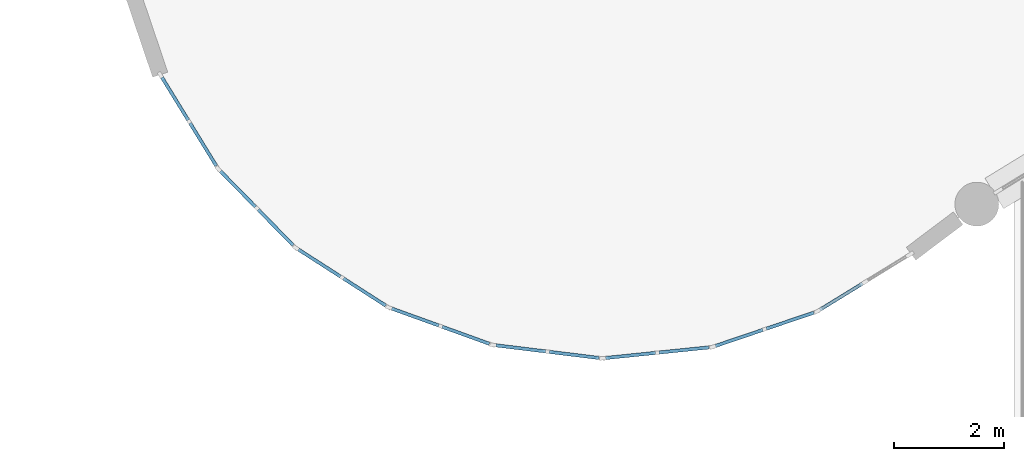
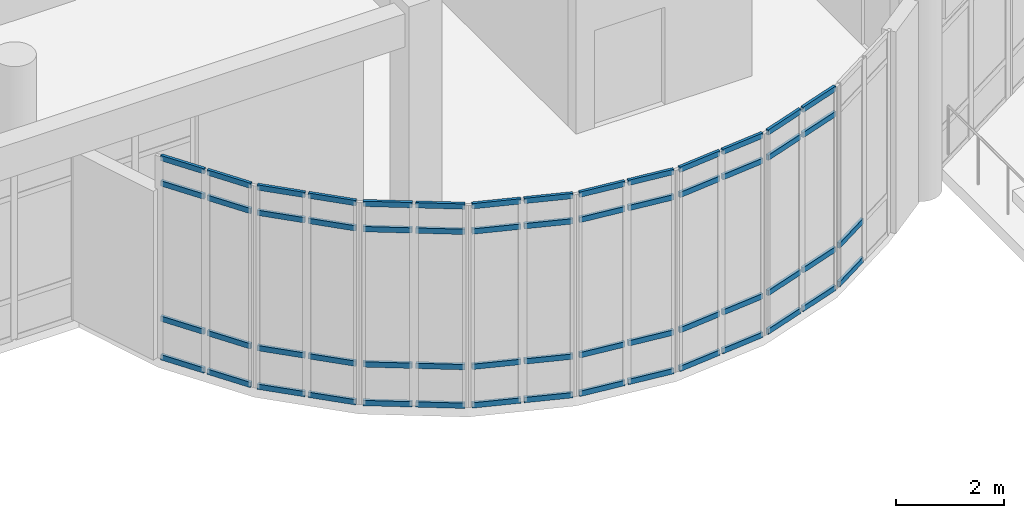
# One storey, part 33 of 65: 58 members, 8 elements without a shape of their own.
"""IFC4 building model written with IfcOpenShell, lengths in metres."""

from ifc_helpers import new_model, si_unit, direction, frame, origin, origin_2d, place, context, subcontext, project, spatial, rectangle, extrude, material, layer, layer_set, material_profile, profile_set, type_object, element, aggregate, save


model = new_model("IFC4")

# Units and contexts
model_context = context("Model", 3, precision=1e-05, world=origin(), true_north=direction((0.0, 1.0)))
body_context = subcontext(model_context, "Body", "Model", "MODEL_VIEW")
ifc_project = project(units=[si_unit("LENGTHUNIT", "METRE"), si_unit("AREAUNIT", "SQUARE_METRE"), si_unit("VOLUMEUNIT", "CUBIC_METRE"), si_unit("PLANEANGLEUNIT", "RADIAN"), si_unit("MASSUNIT", "GRAM", prefix="KILO")], contexts=[model_context])

# Site, building, storey
site_placement = place(None, origin())
site = spatial("IfcSite", under=ifc_project, at=site_placement, CompositionType="ELEMENT")
building_placement = place(site_placement, origin())
building = spatial("IfcBuilding", under=site, at=building_placement, Name="Miralva Faculty of Natural Sciences", CompositionType="ELEMENT")
storey_placement = place(building_placement, frame((0.0, 0.0, 10.199951171875)))
storey = spatial("IfcBuildingStorey", under=building, at=storey_placement, Name="L02", CompositionType="ELEMENT", Elevation=10.199951171875)

# Curtain wall, members
ifc_material_1 = material(Name="Laminated solar-control glass", Category="glass")
ifc_layer = layer(ifc_material_1, 0.179931640625, Name="CW-RND-L01")
ifc_layer_set = layer_set([ifc_layer], Name="Laminated solar-control glass")
curtain_wall_type = type_object("IfcCurtainWallType", Name="CW-RND-L01", PredefinedType="USERDEFINED", material=ifc_layer_set)
curtain_wall_1_placement = place(storey_placement, origin())
curtain_wall_1 = element("IfcCurtainWall", 1, at=curtain_wall_1_placement, inside=storey, type_object=curtain_wall_type, Name="Curtain wall CW-05 L02-93", ObjectType="UNITISED CURTAIN WALL", PredefinedType="USERDEFINED")
ifc_material_2 = material(Name="Anodised aluminium", Category="aluminium")
ifc_material_profile = material_profile(ifc_material_2, rectangle(XDim=0.06005859375, YDim=0.1201171875, at=origin_2d()), Name="TRANSOM 60x120")
ifc_profile_set = profile_set([ifc_material_profile], Name="Anodised aluminium")
member_type = type_object("IfcMemberType", Name="CW-T02", PredefinedType="USERDEFINED", material=ifc_profile_set)
member_1_placement = place(storey_placement, frame((61.864990234375, 11.86328125, 0.030029296875), z_axis=(0.852016327326, 0.52351521274, 0.0), x_axis=(-0.52351521274, 0.852016327326, 0.0)))
member_1 = element("IfcMember", 2, at=member_1_placement, type_object=member_type, Name="CW-05 transom 1.1", ObjectType="TRANSOM", PredefinedType="USERDEFINED", context=body_context, shape_type="SweptSolid", body=[
    extrude(rectangle(XDim=0.06005859375, YDim=0.1201171875, at=origin_2d()), origin(), (0.0, 0.0, 1.0), 0.91259765625),
])
member_2_placement = place(storey_placement, frame((61.864990234375, 11.86328125, 0.900146484375), z_axis=(0.852016327326, 0.52351521274, 0.0), x_axis=(-0.52351521274, 0.852016327326, 0.0)))
member_2 = element("IfcMember", 3, at=member_2_placement, type_object=member_type, Name="CW-05 transom 1.2", ObjectType="TRANSOM", PredefinedType="USERDEFINED", context=body_context, shape_type="SweptSolid", body=[
    extrude(rectangle(XDim=0.06005859375, YDim=0.1201171875, at=origin_2d()), origin(), (0.0, 0.0, 1.0), 0.91259765625),
])
aggregate(curtain_wall_1, [member_1, member_2])

curtain_wall_2_placement = place(storey_placement, origin())
curtain_wall_2 = element("IfcCurtainWall", 4, at=curtain_wall_2_placement, inside=storey, type_object=curtain_wall_type, Name="Curtain wall CW-05 L02-94", ObjectType="UNITISED CURTAIN WALL", PredefinedType="USERDEFINED")
member_3_placement = place(storey_placement, frame((59.962158203125, 11.20361328125, 0.030029296875), z_axis=(0.947174722358, 0.32071801528, 0.0), x_axis=(-0.32071801528, 0.947174722358, 0.0)))
member_3 = element("IfcMember", 5, at=member_3_placement, type_object=member_type, Name="CW-05 transom 1.1", ObjectType="TRANSOM", PredefinedType="USERDEFINED", context=body_context, shape_type="SweptSolid", body=[
    extrude(rectangle(XDim=0.06005859375, YDim=0.1201171875, at=origin_2d()), origin(), (0.0, 0.0, 1.0), 0.91259765625),
])
member_4_placement = place(storey_placement, frame((59.962158203125, 11.20361328125, 0.900146484375), z_axis=(0.947174722358, 0.32071801528, 0.0), x_axis=(-0.32071801528, 0.947174722358, 0.0)))
member_4 = element("IfcMember", 6, at=member_4_placement, type_object=member_type, Name="CW-05 transom 1.2", ObjectType="TRANSOM", PredefinedType="USERDEFINED", context=body_context, shape_type="SweptSolid", body=[
    extrude(rectangle(XDim=0.06005859375, YDim=0.1201171875, at=origin_2d()), origin(), (0.0, 0.0, 1.0), 0.91259765625),
])
member_5_placement = place(storey_placement, frame((59.962158203125, 11.20361328125, 3.949951171875), z_axis=(0.947174722358, 0.32071801528, 0.0), x_axis=(-0.32071801528, 0.947174722358, 0.0)))
member_5 = element("IfcMember", 7, at=member_5_placement, type_object=member_type, Name="CW-05 transom 1.3", ObjectType="TRANSOM", PredefinedType="USERDEFINED", context=body_context, shape_type="SweptSolid", body=[
    extrude(rectangle(XDim=0.06005859375, YDim=0.1201171875, at=origin_2d()), origin(), (0.0, 0.0, 1.0), 0.91259765625),
])
member_6_placement = place(storey_placement, frame((59.962158203125, 11.20361328125, 4.52001953125), z_axis=(0.947174722358, 0.32071801528, 0.0), x_axis=(-0.32071801528, 0.947174722358, 0.0)))
member_6 = element("IfcMember", 8, at=member_6_placement, type_object=member_type, Name="CW-05 transom 1.4", ObjectType="TRANSOM", PredefinedType="USERDEFINED", context=body_context, shape_type="SweptSolid", body=[
    extrude(rectangle(XDim=0.06005859375, YDim=0.1201171875, at=origin_2d()), origin(), (0.0, 0.0, 1.0), 0.91259765625),
])
member_7_placement = place(storey_placement, frame((60.88818359375, 11.517333984375, 0.030029296875), z_axis=(0.947174722358, 0.32071801528, 0.0), x_axis=(-0.32071801528, 0.947174722358, 0.0)))
member_7 = element("IfcMember", 9, at=member_7_placement, type_object=member_type, Name="CW-05 transom 2.1", ObjectType="TRANSOM", PredefinedType="USERDEFINED", context=body_context, shape_type="SweptSolid", body=[
    extrude(rectangle(XDim=0.06005859375, YDim=0.1201171875, at=origin_2d()), origin(), (0.0, 0.0, 1.0), 0.91259765625),
])
member_8_placement = place(storey_placement, frame((60.88818359375, 11.517333984375, 0.900146484375), z_axis=(0.947174722358, 0.32071801528, 0.0), x_axis=(-0.32071801528, 0.947174722358, 0.0)))
member_8 = element("IfcMember", 10, at=member_8_placement, type_object=member_type, Name="CW-05 transom 2.2", ObjectType="TRANSOM", PredefinedType="USERDEFINED", context=body_context, shape_type="SweptSolid", body=[
    extrude(rectangle(XDim=0.06005859375, YDim=0.1201171875, at=origin_2d()), origin(), (0.0, 0.0, 1.0), 0.91259765625),
])
member_9_placement = place(storey_placement, frame((60.88818359375, 11.517333984375, 3.949951171875), z_axis=(0.947174722358, 0.32071801528, 0.0), x_axis=(-0.32071801528, 0.947174722358, 0.0)))
member_9 = element("IfcMember", 11, at=member_9_placement, type_object=member_type, Name="CW-05 transom 2.3", ObjectType="TRANSOM", PredefinedType="USERDEFINED", context=body_context, shape_type="SweptSolid", body=[
    extrude(rectangle(XDim=0.06005859375, YDim=0.1201171875, at=origin_2d()), origin(), (0.0, 0.0, 1.0), 0.91259765625),
])
member_10_placement = place(storey_placement, frame((60.88818359375, 11.517333984375, 4.52001953125), z_axis=(0.947174722358, 0.32071801528, 0.0), x_axis=(-0.32071801528, 0.947174722358, 0.0)))
member_10 = element("IfcMember", 12, at=member_10_placement, type_object=member_type, Name="CW-05 transom 2.4", ObjectType="TRANSOM", PredefinedType="USERDEFINED", context=body_context, shape_type="SweptSolid", body=[
    extrude(rectangle(XDim=0.06005859375, YDim=0.1201171875, at=origin_2d()), origin(), (0.0, 0.0, 1.0), 0.91259765625),
])
aggregate(curtain_wall_2, [member_3, member_4, member_5, member_6, member_7, member_8, member_9, member_10])

curtain_wall_3_placement = place(storey_placement, origin())
curtain_wall_3 = element("IfcCurtainWall", 13, at=curtain_wall_3_placement, inside=storey, type_object=curtain_wall_type, Name="Curtain wall CW-05 L02-95", ObjectType="UNITISED CURTAIN WALL", PredefinedType="USERDEFINED")
member_11_placement = place(storey_placement, frame((57.96044921875, 10.983642578125, 0.030029296875), z_axis=(0.994766112877, 0.102178180995, 0.0), x_axis=(-0.102178180995, 0.994766112877, 0.0)))
member_11 = element("IfcMember", 14, at=member_11_placement, type_object=member_type, Name="CW-05 transom 1.1", ObjectType="TRANSOM", PredefinedType="USERDEFINED", context=body_context, shape_type="SweptSolid", body=[
    extrude(rectangle(XDim=0.06005859375, YDim=0.1201171875, at=origin_2d()), origin(), (0.0, 0.0, 1.0), 0.912841796875),
])
member_12_placement = place(storey_placement, frame((57.96044921875, 10.983642578125, 0.900146484375), z_axis=(0.994766112877, 0.102178180995, 0.0), x_axis=(-0.102178180995, 0.994766112877, 0.0)))
member_12 = element("IfcMember", 15, at=member_12_placement, type_object=member_type, Name="CW-05 transom 1.2", ObjectType="TRANSOM", PredefinedType="USERDEFINED", context=body_context, shape_type="SweptSolid", body=[
    extrude(rectangle(XDim=0.06005859375, YDim=0.1201171875, at=origin_2d()), origin(), (0.0, 0.0, 1.0), 0.912841796875),
])
member_13_placement = place(storey_placement, frame((57.96044921875, 10.983642578125, 3.949951171875), z_axis=(0.994766112877, 0.102178180995, 0.0), x_axis=(-0.102178180995, 0.994766112877, 0.0)))
member_13 = element("IfcMember", 16, at=member_13_placement, type_object=member_type, Name="CW-05 transom 1.3", ObjectType="TRANSOM", PredefinedType="USERDEFINED", context=body_context, shape_type="SweptSolid", body=[
    extrude(rectangle(XDim=0.06005859375, YDim=0.1201171875, at=origin_2d()), origin(), (0.0, 0.0, 1.0), 0.912841796875),
])
member_14_placement = place(storey_placement, frame((57.96044921875, 10.983642578125, 4.52001953125), z_axis=(0.994766112877, 0.102178180995, 0.0), x_axis=(-0.102178180995, 0.994766112877, 0.0)))
member_14 = element("IfcMember", 17, at=member_14_placement, type_object=member_type, Name="CW-05 transom 1.4", ObjectType="TRANSOM", PredefinedType="USERDEFINED", context=body_context, shape_type="SweptSolid", body=[
    extrude(rectangle(XDim=0.06005859375, YDim=0.1201171875, at=origin_2d()), origin(), (0.0, 0.0, 1.0), 0.912841796875),
])
member_15_placement = place(storey_placement, frame((58.93310546875, 11.08349609375, 0.030029296875), z_axis=(0.994793266196, 0.101913480619, 0.0), x_axis=(-0.101913480619, 0.994793266196, 0.0)))
member_15 = element("IfcMember", 18, at=member_15_placement, type_object=member_type, Name="CW-05 transom 2.1", ObjectType="TRANSOM", PredefinedType="USERDEFINED", context=body_context, shape_type="SweptSolid", body=[
    extrude(rectangle(XDim=0.06005859375, YDim=0.1201171875, at=origin_2d()), origin(), (0.0, 0.0, 1.0), 0.91259765625),
])
member_16_placement = place(storey_placement, frame((58.93310546875, 11.08349609375, 0.900146484375), z_axis=(0.994793266196, 0.101913480619, 0.0), x_axis=(-0.101913480619, 0.994793266196, 0.0)))
member_16 = element("IfcMember", 19, at=member_16_placement, type_object=member_type, Name="CW-05 transom 2.2", ObjectType="TRANSOM", PredefinedType="USERDEFINED", context=body_context, shape_type="SweptSolid", body=[
    extrude(rectangle(XDim=0.06005859375, YDim=0.1201171875, at=origin_2d()), origin(), (0.0, 0.0, 1.0), 0.91259765625),
])
member_17_placement = place(storey_placement, frame((58.93310546875, 11.08349609375, 3.949951171875), z_axis=(0.994793266196, 0.101913480619, 0.0), x_axis=(-0.101913480619, 0.994793266196, 0.0)))
member_17 = element("IfcMember", 20, at=member_17_placement, type_object=member_type, Name="CW-05 transom 2.3", ObjectType="TRANSOM", PredefinedType="USERDEFINED", context=body_context, shape_type="SweptSolid", body=[
    extrude(rectangle(XDim=0.06005859375, YDim=0.1201171875, at=origin_2d()), origin(), (0.0, 0.0, 1.0), 0.91259765625),
])
member_18_placement = place(storey_placement, frame((58.93310546875, 11.08349609375, 4.52001953125), z_axis=(0.994793266196, 0.101913480619, 0.0), x_axis=(-0.101913480619, 0.994793266196, 0.0)))
member_18 = element("IfcMember", 21, at=member_18_placement, type_object=member_type, Name="CW-05 transom 2.4", ObjectType="TRANSOM", PredefinedType="USERDEFINED", context=body_context, shape_type="SweptSolid", body=[
    extrude(rectangle(XDim=0.06005859375, YDim=0.1201171875, at=origin_2d()), origin(), (0.0, 0.0, 1.0), 0.91259765625),
])
aggregate(curtain_wall_3, [member_11, member_12, member_13, member_14, member_15, member_16, member_17, member_18])

curtain_wall_4_placement = place(storey_placement, origin())
curtain_wall_4 = element("IfcCurtainWall", 22, at=curtain_wall_4_placement, inside=storey, type_object=curtain_wall_type, Name="Curtain wall CW-05 L02-96", ObjectType="UNITISED CURTAIN WALL", PredefinedType="USERDEFINED")
member_19_placement = place(storey_placement, frame((55.9599609375, 11.214599609375, 0.030029296875), z_axis=(0.99256727955, -0.121697146913, 0.0), x_axis=(0.121697146913, 0.99256727955, 0.0)))
member_19 = element("IfcMember", 23, at=member_19_placement, type_object=member_type, Name="CW-05 transom 1.1", ObjectType="TRANSOM", PredefinedType="USERDEFINED", context=body_context, shape_type="SweptSolid", body=[
    extrude(rectangle(XDim=0.06005859375, YDim=0.1201171875, at=origin_2d()), origin(), (0.0, 0.0, 1.0), 0.912841796875),
])
member_20_placement = place(storey_placement, frame((55.9599609375, 11.214599609375, 0.900146484375), z_axis=(0.99256727955, -0.121697146913, 0.0), x_axis=(0.121697146913, 0.99256727955, 0.0)))
member_20 = element("IfcMember", 24, at=member_20_placement, type_object=member_type, Name="CW-05 transom 1.2", ObjectType="TRANSOM", PredefinedType="USERDEFINED", context=body_context, shape_type="SweptSolid", body=[
    extrude(rectangle(XDim=0.06005859375, YDim=0.1201171875, at=origin_2d()), origin(), (0.0, 0.0, 1.0), 0.912841796875),
])
member_21_placement = place(storey_placement, frame((55.9599609375, 11.214599609375, 3.949951171875), z_axis=(0.99256727955, -0.121697146913, 0.0), x_axis=(0.121697146913, 0.99256727955, 0.0)))
member_21 = element("IfcMember", 25, at=member_21_placement, type_object=member_type, Name="CW-05 transom 1.3", ObjectType="TRANSOM", PredefinedType="USERDEFINED", context=body_context, shape_type="SweptSolid", body=[
    extrude(rectangle(XDim=0.06005859375, YDim=0.1201171875, at=origin_2d()), origin(), (0.0, 0.0, 1.0), 0.912841796875),
])
member_22_placement = place(storey_placement, frame((55.9599609375, 11.214599609375, 4.52001953125), z_axis=(0.99256727955, -0.121697146913, 0.0), x_axis=(0.121697146913, 0.99256727955, 0.0)))
member_22 = element("IfcMember", 26, at=member_22_placement, type_object=member_type, Name="CW-05 transom 1.4", ObjectType="TRANSOM", PredefinedType="USERDEFINED", context=body_context, shape_type="SweptSolid", body=[
    extrude(rectangle(XDim=0.06005859375, YDim=0.1201171875, at=origin_2d()), origin(), (0.0, 0.0, 1.0), 0.912841796875),
])
member_23_placement = place(storey_placement, frame((56.930419921875, 11.095458984375, 0.030029296875), z_axis=(0.992563316744, -0.121729463374, 0.0), x_axis=(0.121729463374, 0.992563316744, 0.0)))
member_23 = element("IfcMember", 27, at=member_23_placement, type_object=member_type, Name="CW-05 transom 2.1", ObjectType="TRANSOM", PredefinedType="USERDEFINED", context=body_context, shape_type="SweptSolid", body=[
    extrude(rectangle(XDim=0.06005859375, YDim=0.1201171875, at=origin_2d()), origin(), (0.0, 0.0, 1.0), 0.91259765625),
])
member_24_placement = place(storey_placement, frame((56.930419921875, 11.095458984375, 0.900146484375), z_axis=(0.992563316744, -0.121729463374, 0.0), x_axis=(0.121729463374, 0.992563316744, 0.0)))
member_24 = element("IfcMember", 28, at=member_24_placement, type_object=member_type, Name="CW-05 transom 2.2", ObjectType="TRANSOM", PredefinedType="USERDEFINED", context=body_context, shape_type="SweptSolid", body=[
    extrude(rectangle(XDim=0.06005859375, YDim=0.1201171875, at=origin_2d()), origin(), (0.0, 0.0, 1.0), 0.91259765625),
])
member_25_placement = place(storey_placement, frame((56.930419921875, 11.095458984375, 3.949951171875), z_axis=(0.992563316744, -0.121729463374, 0.0), x_axis=(0.121729463374, 0.992563316744, 0.0)))
member_25 = element("IfcMember", 29, at=member_25_placement, type_object=member_type, Name="CW-05 transom 2.3", ObjectType="TRANSOM", PredefinedType="USERDEFINED", context=body_context, shape_type="SweptSolid", body=[
    extrude(rectangle(XDim=0.06005859375, YDim=0.1201171875, at=origin_2d()), origin(), (0.0, 0.0, 1.0), 0.91259765625),
])
member_26_placement = place(storey_placement, frame((56.930419921875, 11.095458984375, 4.52001953125), z_axis=(0.992563316744, -0.121729463374, 0.0), x_axis=(0.121729463374, 0.992563316744, 0.0)))
member_26 = element("IfcMember", 30, at=member_26_placement, type_object=member_type, Name="CW-05 transom 2.4", ObjectType="TRANSOM", PredefinedType="USERDEFINED", context=body_context, shape_type="SweptSolid", body=[
    extrude(rectangle(XDim=0.06005859375, YDim=0.1201171875, at=origin_2d()), origin(), (0.0, 0.0, 1.0), 0.91259765625),
])
aggregate(curtain_wall_4, [member_19, member_20, member_21, member_22, member_23, member_24, member_25, member_26])

curtain_wall_5_placement = place(storey_placement, origin())
curtain_wall_5 = element("IfcCurtainWall", 31, at=curtain_wall_5_placement, inside=storey, type_object=curtain_wall_type, Name="Curtain wall CW-05 L02-97", ObjectType="UNITISED CURTAIN WALL", PredefinedType="USERDEFINED")
member_27_placement = place(storey_placement, frame((54.06103515625, 11.885009765625, 0.030029296875), z_axis=(0.94061086064, -0.339486684344, 0.0), x_axis=(0.339486684344, 0.94061086064, 0.0)))
member_27 = element("IfcMember", 32, at=member_27_placement, type_object=member_type, Name="CW-05 transom 1.1", ObjectType="TRANSOM", PredefinedType="USERDEFINED", context=body_context, shape_type="SweptSolid", body=[
    extrude(rectangle(XDim=0.06005859375, YDim=0.1201171875, at=origin_2d()), origin(), (0.0, 0.0, 1.0), 0.91259765625),
])
member_28_placement = place(storey_placement, frame((54.06103515625, 11.885009765625, 0.900146484375), z_axis=(0.94061086064, -0.339486684344, 0.0), x_axis=(0.339486684344, 0.94061086064, 0.0)))
member_28 = element("IfcMember", 33, at=member_28_placement, type_object=member_type, Name="CW-05 transom 1.2", ObjectType="TRANSOM", PredefinedType="USERDEFINED", context=body_context, shape_type="SweptSolid", body=[
    extrude(rectangle(XDim=0.06005859375, YDim=0.1201171875, at=origin_2d()), origin(), (0.0, 0.0, 1.0), 0.91259765625),
])
member_29_placement = place(storey_placement, frame((54.06103515625, 11.885009765625, 3.949951171875), z_axis=(0.94061086064, -0.339486684344, 0.0), x_axis=(0.339486684344, 0.94061086064, 0.0)))
member_29 = element("IfcMember", 34, at=member_29_placement, type_object=member_type, Name="CW-05 transom 1.3", ObjectType="TRANSOM", PredefinedType="USERDEFINED", context=body_context, shape_type="SweptSolid", body=[
    extrude(rectangle(XDim=0.06005859375, YDim=0.1201171875, at=origin_2d()), origin(), (0.0, 0.0, 1.0), 0.91259765625),
])
member_30_placement = place(storey_placement, frame((54.06103515625, 11.885009765625, 4.52001953125), z_axis=(0.94061086064, -0.339486684344, 0.0), x_axis=(0.339486684344, 0.94061086064, 0.0)))
member_30 = element("IfcMember", 35, at=member_30_placement, type_object=member_type, Name="CW-05 transom 1.4", ObjectType="TRANSOM", PredefinedType="USERDEFINED", context=body_context, shape_type="SweptSolid", body=[
    extrude(rectangle(XDim=0.06005859375, YDim=0.1201171875, at=origin_2d()), origin(), (0.0, 0.0, 1.0), 0.91259765625),
])
member_31_placement = place(storey_placement, frame((54.980712890625, 11.552978515625, 0.030029296875), z_axis=(0.940525411881, -0.339723342744, 0.0), x_axis=(0.339723342744, 0.940525411881, 0.0)))
member_31 = element("IfcMember", 36, at=member_31_placement, type_object=member_type, Name="CW-05 transom 2.1", ObjectType="TRANSOM", PredefinedType="USERDEFINED", context=body_context, shape_type="SweptSolid", body=[
    extrude(rectangle(XDim=0.06005859375, YDim=0.1201171875, at=origin_2d()), origin(), (0.0, 0.0, 1.0), 0.91259765625),
])
member_32_placement = place(storey_placement, frame((54.980712890625, 11.552978515625, 0.900146484375), z_axis=(0.940525411881, -0.339723342744, 0.0), x_axis=(0.339723342744, 0.940525411881, 0.0)))
member_32 = element("IfcMember", 37, at=member_32_placement, type_object=member_type, Name="CW-05 transom 2.2", ObjectType="TRANSOM", PredefinedType="USERDEFINED", context=body_context, shape_type="SweptSolid", body=[
    extrude(rectangle(XDim=0.06005859375, YDim=0.1201171875, at=origin_2d()), origin(), (0.0, 0.0, 1.0), 0.91259765625),
])
member_33_placement = place(storey_placement, frame((54.980712890625, 11.552978515625, 3.949951171875), z_axis=(0.940525411881, -0.339723342744, 0.0), x_axis=(0.339723342744, 0.940525411881, 0.0)))
member_33 = element("IfcMember", 38, at=member_33_placement, type_object=member_type, Name="CW-05 transom 2.3", ObjectType="TRANSOM", PredefinedType="USERDEFINED", context=body_context, shape_type="SweptSolid", body=[
    extrude(rectangle(XDim=0.06005859375, YDim=0.1201171875, at=origin_2d()), origin(), (0.0, 0.0, 1.0), 0.91259765625),
])
member_34_placement = place(storey_placement, frame((54.980712890625, 11.552978515625, 4.52001953125), z_axis=(0.940525411881, -0.339723342744, 0.0), x_axis=(0.339723342744, 0.940525411881, 0.0)))
member_34 = element("IfcMember", 39, at=member_34_placement, type_object=member_type, Name="CW-05 transom 2.4", ObjectType="TRANSOM", PredefinedType="USERDEFINED", context=body_context, shape_type="SweptSolid", body=[
    extrude(rectangle(XDim=0.06005859375, YDim=0.1201171875, at=origin_2d()), origin(), (0.0, 0.0, 1.0), 0.91259765625),
])
aggregate(curtain_wall_5, [member_27, member_28, member_29, member_30, member_31, member_32, member_33, member_34])

curtain_wall_6_placement = place(storey_placement, origin())
curtain_wall_6 = element("IfcCurtainWall", 40, at=curtain_wall_6_placement, inside=storey, type_object=curtain_wall_type, Name="Curtain wall CW-05 L02-98", ObjectType="UNITISED CURTAIN WALL", PredefinedType="USERDEFINED")
member_35_placement = place(storey_placement, frame((52.35888671875, 12.961181640625, 0.030029296875), z_axis=(0.841473826714, -0.540297879836, 0.0), x_axis=(0.540297879836, 0.841473826714, 0.0)))
member_35 = element("IfcMember", 41, at=member_35_placement, type_object=member_type, Name="CW-05 transom 1.1", ObjectType="TRANSOM", PredefinedType="USERDEFINED", context=body_context, shape_type="SweptSolid", body=[
    extrude(rectangle(XDim=0.06005859375, YDim=0.1201171875, at=origin_2d()), origin(), (0.0, 0.0, 1.0), 0.912841796875),
])
member_36_placement = place(storey_placement, frame((52.35888671875, 12.961181640625, 0.900146484375), z_axis=(0.841473826714, -0.540297879836, 0.0), x_axis=(0.540297879836, 0.841473826714, 0.0)))
member_36 = element("IfcMember", 42, at=member_36_placement, type_object=member_type, Name="CW-05 transom 1.2", ObjectType="TRANSOM", PredefinedType="USERDEFINED", context=body_context, shape_type="SweptSolid", body=[
    extrude(rectangle(XDim=0.06005859375, YDim=0.1201171875, at=origin_2d()), origin(), (0.0, 0.0, 1.0), 0.912841796875),
])
member_37_placement = place(storey_placement, frame((52.35888671875, 12.961181640625, 3.949951171875), z_axis=(0.841473826714, -0.540297879836, 0.0), x_axis=(0.540297879836, 0.841473826714, 0.0)))
member_37 = element("IfcMember", 43, at=member_37_placement, type_object=member_type, Name="CW-05 transom 1.3", ObjectType="TRANSOM", PredefinedType="USERDEFINED", context=body_context, shape_type="SweptSolid", body=[
    extrude(rectangle(XDim=0.06005859375, YDim=0.1201171875, at=origin_2d()), origin(), (0.0, 0.0, 1.0), 0.912841796875),
])
member_38_placement = place(storey_placement, frame((52.35888671875, 12.961181640625, 4.52001953125), z_axis=(0.841473826714, -0.540297879836, 0.0), x_axis=(0.540297879836, 0.841473826714, 0.0)))
member_38 = element("IfcMember", 44, at=member_38_placement, type_object=member_type, Name="CW-05 transom 1.4", ObjectType="TRANSOM", PredefinedType="USERDEFINED", context=body_context, shape_type="SweptSolid", body=[
    extrude(rectangle(XDim=0.06005859375, YDim=0.1201171875, at=origin_2d()), origin(), (0.0, 0.0, 1.0), 0.912841796875),
])
member_39_placement = place(storey_placement, frame((53.181640625, 12.432861328125, 0.030029296875), z_axis=(0.841395718797, -0.540419507781, 0.0), x_axis=(0.540419507781, 0.841395718797, 0.0)))
member_39 = element("IfcMember", 45, at=member_39_placement, type_object=member_type, Name="CW-05 transom 2.1", ObjectType="TRANSOM", PredefinedType="USERDEFINED", context=body_context, shape_type="SweptSolid", body=[
    extrude(rectangle(XDim=0.06005859375, YDim=0.1201171875, at=origin_2d()), origin(), (0.0, 0.0, 1.0), 0.91259765625),
])
member_40_placement = place(storey_placement, frame((53.181640625, 12.432861328125, 0.900146484375), z_axis=(0.841395718797, -0.540419507781, 0.0), x_axis=(0.540419507781, 0.841395718797, 0.0)))
member_40 = element("IfcMember", 46, at=member_40_placement, type_object=member_type, Name="CW-05 transom 2.2", ObjectType="TRANSOM", PredefinedType="USERDEFINED", context=body_context, shape_type="SweptSolid", body=[
    extrude(rectangle(XDim=0.06005859375, YDim=0.1201171875, at=origin_2d()), origin(), (0.0, 0.0, 1.0), 0.91259765625),
])
member_41_placement = place(storey_placement, frame((53.181640625, 12.432861328125, 3.949951171875), z_axis=(0.841395718797, -0.540419507781, 0.0), x_axis=(0.540419507781, 0.841395718797, 0.0)))
member_41 = element("IfcMember", 47, at=member_41_placement, type_object=member_type, Name="CW-05 transom 2.3", ObjectType="TRANSOM", PredefinedType="USERDEFINED", context=body_context, shape_type="SweptSolid", body=[
    extrude(rectangle(XDim=0.06005859375, YDim=0.1201171875, at=origin_2d()), origin(), (0.0, 0.0, 1.0), 0.91259765625),
])
member_42_placement = place(storey_placement, frame((53.181640625, 12.432861328125, 4.52001953125), z_axis=(0.841395718797, -0.540419507781, 0.0), x_axis=(0.540419507781, 0.841395718797, 0.0)))
member_42 = element("IfcMember", 48, at=member_42_placement, type_object=member_type, Name="CW-05 transom 2.4", ObjectType="TRANSOM", PredefinedType="USERDEFINED", context=body_context, shape_type="SweptSolid", body=[
    extrude(rectangle(XDim=0.06005859375, YDim=0.1201171875, at=origin_2d()), origin(), (0.0, 0.0, 1.0), 0.91259765625),
])
aggregate(curtain_wall_6, [member_35, member_36, member_37, member_38, member_39, member_40, member_41, member_42])

curtain_wall_7_placement = place(storey_placement, origin())
curtain_wall_7 = element("IfcCurtainWall", 49, at=curtain_wall_7_placement, inside=storey, type_object=curtain_wall_type, Name="Curtain wall CW-05 L02-99", ObjectType="UNITISED CURTAIN WALL", PredefinedType="USERDEFINED")
member_43_placement = place(storey_placement, frame((50.93896484375, 14.38916015625, 0.030029296875), z_axis=(0.699983155997, -0.71415935289, 0.0), x_axis=(0.71415935289, 0.699983155997, 0.0)))
member_43 = element("IfcMember", 50, at=member_43_placement, type_object=member_type, Name="CW-05 transom 1.1", ObjectType="TRANSOM", PredefinedType="USERDEFINED", context=body_context, shape_type="SweptSolid", body=[
    extrude(rectangle(XDim=0.06005859375, YDim=0.1201171875, at=origin_2d()), origin(), (0.0, 0.0, 1.0), 0.912841796875),
])
member_44_placement = place(storey_placement, frame((50.93896484375, 14.38916015625, 0.900146484375), z_axis=(0.699983155997, -0.71415935289, 0.0), x_axis=(0.71415935289, 0.699983155997, 0.0)))
member_44 = element("IfcMember", 51, at=member_44_placement, type_object=member_type, Name="CW-05 transom 1.2", ObjectType="TRANSOM", PredefinedType="USERDEFINED", context=body_context, shape_type="SweptSolid", body=[
    extrude(rectangle(XDim=0.06005859375, YDim=0.1201171875, at=origin_2d()), origin(), (0.0, 0.0, 1.0), 0.912841796875),
])
member_45_placement = place(storey_placement, frame((50.93896484375, 14.38916015625, 3.949951171875), z_axis=(0.699983155997, -0.71415935289, 0.0), x_axis=(0.71415935289, 0.699983155997, 0.0)))
member_45 = element("IfcMember", 52, at=member_45_placement, type_object=member_type, Name="CW-05 transom 1.3", ObjectType="TRANSOM", PredefinedType="USERDEFINED", context=body_context, shape_type="SweptSolid", body=[
    extrude(rectangle(XDim=0.06005859375, YDim=0.1201171875, at=origin_2d()), origin(), (0.0, 0.0, 1.0), 0.912841796875),
])
member_46_placement = place(storey_placement, frame((50.93896484375, 14.38916015625, 4.52001953125), z_axis=(0.699983155997, -0.71415935289, 0.0), x_axis=(0.71415935289, 0.699983155997, 0.0)))
member_46 = element("IfcMember", 53, at=member_46_placement, type_object=member_type, Name="CW-05 transom 1.4", ObjectType="TRANSOM", PredefinedType="USERDEFINED", context=body_context, shape_type="SweptSolid", body=[
    extrude(rectangle(XDim=0.06005859375, YDim=0.1201171875, at=origin_2d()), origin(), (0.0, 0.0, 1.0), 0.912841796875),
])
member_47_placement = place(storey_placement, frame((51.623291015625, 13.69091796875, 0.030029296875), z_axis=(0.700116880098, -0.714028258686, 0.0), x_axis=(0.714028258686, 0.700116880098, 0.0)))
member_47 = element("IfcMember", 54, at=member_47_placement, type_object=member_type, Name="CW-05 transom 2.1", ObjectType="TRANSOM", PredefinedType="USERDEFINED", context=body_context, shape_type="SweptSolid", body=[
    extrude(rectangle(XDim=0.06005859375, YDim=0.1201171875, at=origin_2d()), origin(), (0.0, 0.0, 1.0), 0.91259765625),
])
member_48_placement = place(storey_placement, frame((51.623291015625, 13.69091796875, 0.900146484375), z_axis=(0.700116880098, -0.714028258686, 0.0), x_axis=(0.714028258686, 0.700116880098, 0.0)))
member_48 = element("IfcMember", 55, at=member_48_placement, type_object=member_type, Name="CW-05 transom 2.2", ObjectType="TRANSOM", PredefinedType="USERDEFINED", context=body_context, shape_type="SweptSolid", body=[
    extrude(rectangle(XDim=0.06005859375, YDim=0.1201171875, at=origin_2d()), origin(), (0.0, 0.0, 1.0), 0.91259765625),
])
member_49_placement = place(storey_placement, frame((51.623291015625, 13.69091796875, 3.949951171875), z_axis=(0.700116880098, -0.714028258686, 0.0), x_axis=(0.714028258686, 0.700116880098, 0.0)))
member_49 = element("IfcMember", 56, at=member_49_placement, type_object=member_type, Name="CW-05 transom 2.3", ObjectType="TRANSOM", PredefinedType="USERDEFINED", context=body_context, shape_type="SweptSolid", body=[
    extrude(rectangle(XDim=0.06005859375, YDim=0.1201171875, at=origin_2d()), origin(), (0.0, 0.0, 1.0), 0.91259765625),
])
member_50_placement = place(storey_placement, frame((51.623291015625, 13.69091796875, 4.52001953125), z_axis=(0.700116880098, -0.714028258686, 0.0), x_axis=(0.714028258686, 0.700116880098, 0.0)))
member_50 = element("IfcMember", 57, at=member_50_placement, type_object=member_type, Name="CW-05 transom 2.4", ObjectType="TRANSOM", PredefinedType="USERDEFINED", context=body_context, shape_type="SweptSolid", body=[
    extrude(rectangle(XDim=0.06005859375, YDim=0.1201171875, at=origin_2d()), origin(), (0.0, 0.0, 1.0), 0.91259765625),
])
aggregate(curtain_wall_7, [member_43, member_44, member_45, member_46, member_47, member_48, member_49, member_50])

curtain_wall_8_placement = place(storey_placement, origin())
curtain_wall_8 = element("IfcCurtainWall", 58, at=curtain_wall_8_placement, inside=storey, type_object=curtain_wall_type, Name="Curtain wall CW-05 L02-100", ObjectType="UNITISED CURTAIN WALL", PredefinedType="USERDEFINED")
member_51_placement = place(storey_placement, frame((49.872314453125, 16.097412109375, 0.030029296875), z_axis=(0.523395914124, -0.852089617986, 0.0), x_axis=(0.852089617986, 0.523395914124, 0.0)))
member_51 = element("IfcMember", 59, at=member_51_placement, type_object=member_type, Name="CW-05 transom 1.1", ObjectType="TRANSOM", PredefinedType="USERDEFINED", context=body_context, shape_type="SweptSolid", body=[
    extrude(rectangle(XDim=0.06005859375, YDim=0.1201171875, at=origin_2d()), origin(), (0.0, 0.0, 1.0), 0.912841796875),
])
member_52_placement = place(storey_placement, frame((49.872314453125, 16.097412109375, 0.900146484375), z_axis=(0.523395914124, -0.852089617986, 0.0), x_axis=(0.852089617986, 0.523395914124, 0.0)))
member_52 = element("IfcMember", 60, at=member_52_placement, type_object=member_type, Name="CW-05 transom 1.2", ObjectType="TRANSOM", PredefinedType="USERDEFINED", context=body_context, shape_type="SweptSolid", body=[
    extrude(rectangle(XDim=0.06005859375, YDim=0.1201171875, at=origin_2d()), origin(), (0.0, 0.0, 1.0), 0.912841796875),
])
member_53_placement = place(storey_placement, frame((49.872314453125, 16.097412109375, 3.949951171875), z_axis=(0.523395914124, -0.852089617986, 0.0), x_axis=(0.852089617986, 0.523395914124, 0.0)))
member_53 = element("IfcMember", 61, at=member_53_placement, type_object=member_type, Name="CW-05 transom 1.3", ObjectType="TRANSOM", PredefinedType="USERDEFINED", context=body_context, shape_type="SweptSolid", body=[
    extrude(rectangle(XDim=0.06005859375, YDim=0.1201171875, at=origin_2d()), origin(), (0.0, 0.0, 1.0), 0.912841796875),
])
member_54_placement = place(storey_placement, frame((49.872314453125, 16.097412109375, 4.52001953125), z_axis=(0.523395914124, -0.852089617986, 0.0), x_axis=(0.852089617986, 0.523395914124, 0.0)))
member_54 = element("IfcMember", 62, at=member_54_placement, type_object=member_type, Name="CW-05 transom 1.4", ObjectType="TRANSOM", PredefinedType="USERDEFINED", context=body_context, shape_type="SweptSolid", body=[
    extrude(rectangle(XDim=0.06005859375, YDim=0.1201171875, at=origin_2d()), origin(), (0.0, 0.0, 1.0), 0.912841796875),
])
member_55_placement = place(storey_placement, frame((50.38427734375, 15.264404296875, 0.030029296875), z_axis=(0.523395914124, -0.852089617986, 0.0), x_axis=(0.852089617986, 0.523395914124, 0.0)))
member_55 = element("IfcMember", 63, at=member_55_placement, type_object=member_type, Name="CW-05 transom 2.1", ObjectType="TRANSOM", PredefinedType="USERDEFINED", context=body_context, shape_type="SweptSolid", body=[
    extrude(rectangle(XDim=0.06005859375, YDim=0.1201171875, at=origin_2d()), origin(), (0.0, 0.0, 1.0), 0.912841796875),
])
member_56_placement = place(storey_placement, frame((50.38427734375, 15.264404296875, 0.900146484375), z_axis=(0.523395914124, -0.852089617986, 0.0), x_axis=(0.852089617986, 0.523395914124, 0.0)))
member_56 = element("IfcMember", 64, at=member_56_placement, type_object=member_type, Name="CW-05 transom 2.2", ObjectType="TRANSOM", PredefinedType="USERDEFINED", context=body_context, shape_type="SweptSolid", body=[
    extrude(rectangle(XDim=0.06005859375, YDim=0.1201171875, at=origin_2d()), origin(), (0.0, 0.0, 1.0), 0.912841796875),
])
member_57_placement = place(storey_placement, frame((50.38427734375, 15.264404296875, 3.949951171875), z_axis=(0.523395914124, -0.852089617986, 0.0), x_axis=(0.852089617986, 0.523395914124, 0.0)))
member_57 = element("IfcMember", 65, at=member_57_placement, type_object=member_type, Name="CW-05 transom 2.3", ObjectType="TRANSOM", PredefinedType="USERDEFINED", context=body_context, shape_type="SweptSolid", body=[
    extrude(rectangle(XDim=0.06005859375, YDim=0.1201171875, at=origin_2d()), origin(), (0.0, 0.0, 1.0), 0.912841796875),
])
member_58_placement = place(storey_placement, frame((50.38427734375, 15.264404296875, 4.52001953125), z_axis=(0.523395914124, -0.852089617986, 0.0), x_axis=(0.852089617986, 0.523395914124, 0.0)))
member_58 = element("IfcMember", 66, at=member_58_placement, type_object=member_type, Name="CW-05 transom 2.4", ObjectType="TRANSOM", PredefinedType="USERDEFINED", context=body_context, shape_type="SweptSolid", body=[
    extrude(rectangle(XDim=0.06005859375, YDim=0.1201171875, at=origin_2d()), origin(), (0.0, 0.0, 1.0), 0.912841796875),
])
aggregate(curtain_wall_8, [member_51, member_52, member_53, member_54, member_55, member_56, member_57, member_58])

save(model, "model.ifc")
